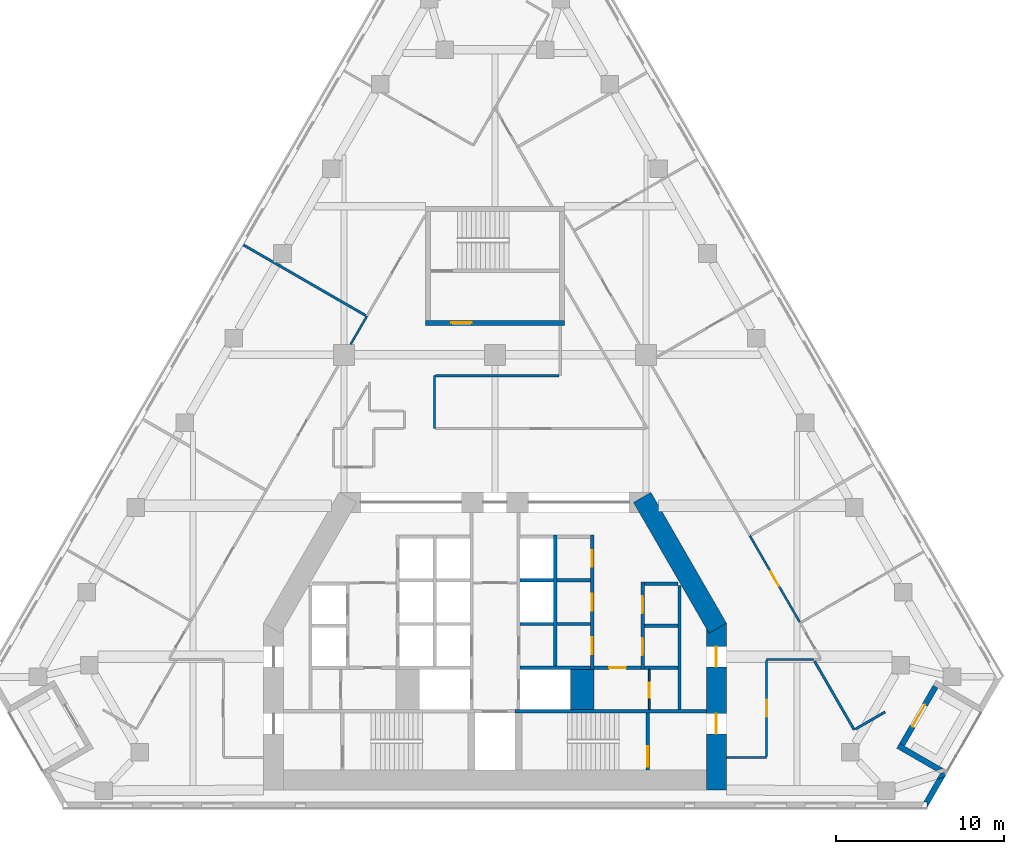
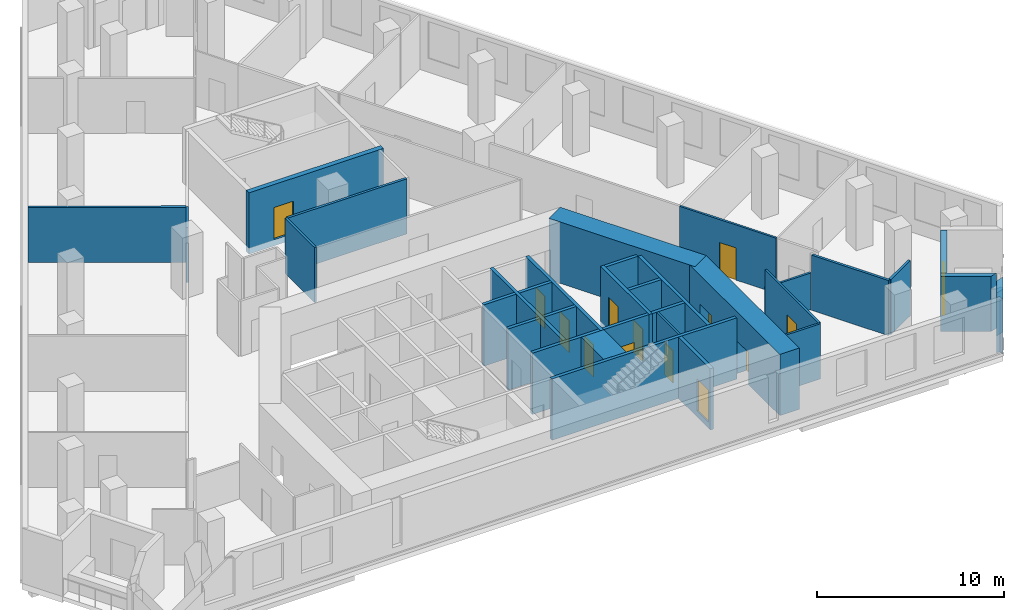
# One storey, part 6 of 10: 34 walls, 14 doors, 14 openings.
"""IFC4 building model written with IfcOpenShell, lengths in metres."""

from ifc_helpers import new_model, si_unit, direction, frame, frame_2d, origin, place, context, subcontext, project, spatial, polyline, rectangle, outline, extrude, material, layer, layer_set, type_object, element, fill, save


model = new_model("IFC4")

# Units and contexts
model_context = context("Model", 3, precision=1e-05, world=origin(), true_north=direction((0.0, 1.0)))
body_context = subcontext(model_context, "Body", "Model", "MODEL_VIEW")
ifc_project = project(units=[si_unit("LENGTHUNIT", "METRE"), si_unit("AREAUNIT", "SQUARE_METRE"), si_unit("VOLUMEUNIT", "CUBIC_METRE"), si_unit("PLANEANGLEUNIT", "RADIAN"), si_unit("MASSUNIT", "GRAM", prefix="KILO")], contexts=[model_context])

# Site, building, storey
site_placement = place(None, origin())
site = spatial("IfcSite", under=ifc_project, at=site_placement, CompositionType="ELEMENT")
building_placement = place(site_placement, origin())
building = spatial("IfcBuilding", under=site, at=building_placement, Name="Fogline Exchange Tower", CompositionType="ELEMENT")
storey_placement = place(building_placement, frame((0.0, 0.0, 116.10009765625)))
storey = spatial("IfcBuildingStorey", under=building, at=storey_placement, Name="L25", CompositionType="ELEMENT", Elevation=116.10009765625)

# Wall, opening, door
ifc_material_1 = material(Name="Blockwork partition", Category="masonry")
ifc_layer_1 = layer(ifc_material_1, 0.10009765625)
ifc_layer_set_1 = layer_set([ifc_layer_1], Name="CW10")
wall_type_1 = type_object("IfcWallType", Name="CW10", PredefinedType="PARTITIONING", material=ifc_layer_set_1)
wall_1_placement = place(storey_placement, frame((9.199951171875, 5.85009765625, 0.0), z_axis=(0.0, 0.0, 1.0), x_axis=(0.0, 1.0, 0.0)))
wall_1 = element("IfcWall", 1, at=wall_1_placement, inside=storey, type_object=wall_type_1, Name="WC partition", PredefinedType="PARTITIONING", context=body_context, shape_type="SweptSolid", body=[
    extrude(rectangle(XDim=2.39990234375, YDim=0.10009765625, at=frame_2d((1.199951171875, 0.0))), origin(), (0.0, 0.0, 1.0), 3.599853515625),
])
opening_1_placement = place(wall_1_placement, frame((0.699951171875, 0.0, 0.0)))
opening_1 = element("IfcOpeningElement", 2, at=opening_1_placement, cuts=wall_1, Name="Opening T07-C014", PredefinedType="OPENING", context=body_context, shape_type="SweptSolid", body=[
    extrude(rectangle(XDim=0.89990234375, YDim=2.10009765625, at=frame_2d((0.449951171875, 1.050048828125))), frame((0.0, 0.06005859375, 0.0), z_axis=(0.0, -1.0, 0.0), x_axis=(1.0, 0.0, 0.0)), (0.0, 0.0, 1.0), 0.1201171875),
])
ifc_material_2 = material(Name="Steel and timber fire door", Category="steel")
door_type_1 = type_object("IfcDoorType", Name="D-CS1", OperationType="SINGLE_SWING_RIGHT", PredefinedType="DOOR", material=ifc_material_2)
door_1_placement = place(opening_1_placement, frame((0.89990234375, 0.0, 0.0), z_axis=(0.0, 0.0, 1.0), x_axis=(-1.0, 0.0, 0.0)))
door_1 = element("IfcDoor", 3, at=door_1_placement, inside=storey, type_object=door_type_1, Name="Door to Cleaner's Store", OperationType="SINGLE_SWING_RIGHT", OverallHeight=2.10009765625, OverallWidth=0.89990234375, PredefinedType="DOOR", context=body_context, shape_type="SweptSolid", body=[
    extrude(rectangle(XDim=0.89990234375, YDim=2.10009765625, at=frame_2d((0.449951171875, 1.050048828125))), frame((0.0, 0.02490234375, 0.0), z_axis=(0.0, -1.0, 0.0), x_axis=(1.0, 0.0, 0.0)), (0.0, 0.0, 1.0), 0.050048828125),
])
fill(opening_1, door_1)

# Walls
ifc_material_3 = material(Name="Concrete C60", Category="concrete")
ifc_layer_2 = layer(ifc_material_3, 1.39990234375)
ifc_layer_set_2 = layer_set([ifc_layer_2], Name="CW140")
wall_type_2 = type_object("IfcWallType", Name="CW140", PredefinedType="SOLIDWALL", material=ifc_layer_set_2)
wall_2_placement = place(storey_placement, frame((5.199951171875, 5.85009765625, -0.400146484375), z_axis=(0.0, 0.0, 1.0), x_axis=(0.0, 1.0, 0.0)))
element("IfcWall", 4, at=wall_2_placement, inside=storey, type_object=wall_type_2, Name="Lift shaft block wall", PredefinedType="SOLIDWALL", context=body_context, shape_type="SweptSolid", body=[
    extrude(rectangle(XDim=2.39990234375, YDim=1.39990234375, at=frame_2d((1.199951171875, 0.0))), origin(), (0.0, 0.0, 1.0), 4.0),
])
ifc_material_4 = material(Name="Concrete C40", Category="concrete")
ifc_layer_3 = layer(ifc_material_4, 0.199951171875)
ifc_layer_set_3 = layer_set([ifc_layer_3], Name="CW20")
wall_type_3 = type_object("IfcWallType", Name="CW20", PredefinedType="SOLIDWALL", material=ifc_layer_set_3)
wall_3_placement = place(storey_placement, frame((11.0, 5.85009765625, 0.0), z_axis=(0.0, 0.0, 1.0), x_axis=(0.0, 1.0, 0.0)))
element("IfcWall", 5, at=wall_3_placement, inside=storey, type_object=wall_type_3, Name="Service room wall", PredefinedType="SOLIDWALL", context=body_context, shape_type="SweptSolid", body=[
    extrude(rectangle(XDim=7.39990234375, YDim=0.199951171875, at=frame_2d((3.699951171875, 0.0))), origin(), (0.0, 0.0, 1.0), 3.599853515625),
])

# Wall, opening, door
wall_4_placement = place(storey_placement, frame((5.89990234375, 8.35009765625, 0.0), z_axis=(0.0, 0.0, 1.0), x_axis=(1.0, 0.0, 0.0)))
wall_4 = element("IfcWall", 6, at=wall_4_placement, inside=storey, type_object=wall_type_3, Name="WC wall", PredefinedType="SOLIDWALL", context=body_context, shape_type="SweptSolid", body=[
    extrude(rectangle(XDim=2.800048828125, YDim=0.199951171875, at=frame_2d((1.39990234375, 0.0))), origin(), (0.0, 0.0, 1.0), 3.599853515625),
])
opening_2_placement = place(wall_4_placement, frame((0.89990234375, 0.0, 0.0)))
opening_2 = element("IfcOpeningElement", 7, at=opening_2_placement, cuts=wall_4, Name="Opening T07-C013", PredefinedType="OPENING", context=body_context, shape_type="SweptSolid", body=[
    extrude(rectangle(XDim=1.0, YDim=2.10009765625, at=frame_2d((0.5, 1.050048828125))), frame((0.0, 0.10986328125, 0.0), z_axis=(0.0, -1.0, 0.0), x_axis=(1.0, 0.0, 0.0)), (0.0, 0.0, 1.0), 0.219970703125),
])
door_type_2 = type_object("IfcDoorType", Name="D-WC1", OperationType="SINGLE_SWING_LEFT", PredefinedType="DOOR", material=ifc_material_2)
door_2_placement = place(opening_2_placement, frame((1.0, 0.0, 0.0), z_axis=(0.0, 0.0, 1.0), x_axis=(-1.0, 0.0, 0.0)))
door_2 = element("IfcDoor", 8, at=door_2_placement, inside=storey, type_object=door_type_2, Name="Door to Women's WC", OperationType="SINGLE_SWING_LEFT", OverallHeight=2.10009765625, OverallWidth=1.0, PredefinedType="DOOR", context=body_context, shape_type="SweptSolid", body=[
    extrude(rectangle(XDim=1.0, YDim=2.10009765625, at=frame_2d((0.5, 1.050048828125))), frame((0.0, 0.02490234375, 0.0), z_axis=(0.0, -1.0, 0.0), x_axis=(1.0, 0.0, 0.0)), (0.0, 0.0, 1.0), 0.050048828125),
])
fill(opening_2, door_2)

# Wall
ifc_layer_4 = layer(ifc_material_4, 0.199951171875)
ifc_layer_set_4 = layer_set([ifc_layer_4], Name="CW20R")
wall_type_4 = type_object("IfcWallType", Name="CW20R", PredefinedType="SOLIDWALL", material=ifc_layer_set_4)
wall_5_placement = place(storey_placement, frame((1.199951171875, 5.75, -0.400146484375), z_axis=(0.0, 0.0, 1.0), x_axis=(1.0, 0.0, 0.0)))
element("IfcWall", 9, at=wall_5_placement, inside=storey, type_object=wall_type_4, Name="Stair enclosure wall", PredefinedType="SOLIDWALL", context=body_context, shape_type="SweptSolid", body=[
    extrude(rectangle(XDim=11.400146484375, YDim=0.199951171875, at=frame_2d((5.7001953125, 0.0))), origin(), (0.0, 0.0, 1.0), 4.0),
])

# Wall, opening, door
wall_6_placement = place(storey_placement, frame((9.10009765625, 2.25, -0.400146484375), z_axis=(0.0, 0.0, 1.0), x_axis=(0.0, 1.0, 0.0)))
wall_6 = element("IfcWall", 10, at=wall_6_placement, inside=storey, type_object=wall_type_4, Name="Stair enclosure wall", PredefinedType="SOLIDWALL", context=body_context, shape_type="SweptSolid", body=[
    extrude(rectangle(XDim=3.39990234375, YDim=0.199951171875, at=frame_2d((1.699951171875, 0.0))), origin(), (0.0, 0.0, 1.0), 4.0),
])
opening_3_placement = place(wall_6_placement, frame((0.199951171875, 0.0, 0.39990234375)))
opening_3 = element("IfcOpeningElement", 11, at=opening_3_placement, cuts=wall_6, Name="Opening T07-C016", PredefinedType="OPENING", context=body_context, shape_type="SweptSolid", body=[
    extrude(rectangle(XDim=1.199951171875, YDim=2.10009765625, at=frame_2d((0.60009765625, 1.050048828125))), frame((0.0, 0.10986328125, 0.0), z_axis=(0.0, -1.0, 0.0), x_axis=(1.0, 0.0, 0.0)), (0.0, 0.0, 1.0), 0.219970703125),
])
door_type_3 = type_object("IfcDoorType", Name="D-ST1", OperationType="SINGLE_SWING_LEFT", PredefinedType="DOOR", material=ifc_material_2)
door_3_placement = place(opening_3_placement, origin())
door_3 = element("IfcDoor", 12, at=door_3_placement, inside=storey, type_object=door_type_3, Name="Stair door ST2", OperationType="SINGLE_SWING_LEFT", OverallHeight=2.10009765625, OverallWidth=1.199951171875, PredefinedType="DOOR", context=body_context, shape_type="SweptSolid", body=[
    extrude(rectangle(XDim=1.199951171875, YDim=2.10009765625, at=frame_2d((0.60009765625, 1.050048828125))), frame((0.0, 0.02490234375, 0.0), z_axis=(0.0, -1.0, 0.0), x_axis=(1.0, 0.0, 0.0)), (0.0, 0.0, 1.0), 0.050048828125),
])
fill(opening_3, door_3)

# Wall, openings, doors
ifc_layer_5 = layer(ifc_material_4, 0.199951171875)
ifc_layer_set_5 = layer_set([ifc_layer_5], Name="CW20S")
wall_type_5 = type_object("IfcWallType", Name="CW20S", PredefinedType="SOLIDWALL", material=ifc_layer_set_5)
wall_7_placement = place(storey_placement, frame((8.800048828125, 8.25, -0.400146484375), z_axis=(0.0, 0.0, 1.0), x_axis=(0.0, 1.0, 0.0)))
wall_7 = element("IfcWall", 13, at=wall_7_placement, inside=storey, type_object=wall_type_5, Name="Lift shaft wall", PredefinedType="SOLIDWALL", context=body_context, shape_type="SweptSolid", body=[
    extrude(rectangle(XDim=5.199951171875, YDim=0.199951171875, at=frame_2d((2.60009765625, 0.0))), origin(), (0.0, 0.0, 1.0), 4.0),
])
opening_4_placement = place(wall_7_placement, frame((0.85009765625, 0.0, 0.39990234375)))
opening_4 = element("IfcOpeningElement", 14, at=opening_4_placement, cuts=wall_7, Name="Opening T07-C001", PredefinedType="OPENING", context=body_context, shape_type="SweptSolid", body=[
    extrude(rectangle(XDim=1.0, YDim=2.10009765625, at=frame_2d((0.5, 1.050048828125))), frame((0.0, 0.10986328125, 0.0), z_axis=(0.0, -1.0, 0.0), x_axis=(1.0, 0.0, 0.0)), (0.0, 0.0, 1.0), 0.219970703125),
])
opening_5_placement = place(wall_7_placement, frame((3.35009765625, 0.0, 0.39990234375)))
opening_5 = element("IfcOpeningElement", 15, at=opening_5_placement, cuts=wall_7, Name="Opening T07-C002", PredefinedType="OPENING", context=body_context, shape_type="SweptSolid", body=[
    extrude(rectangle(XDim=1.0, YDim=2.10009765625, at=frame_2d((0.5, 1.050048828125))), frame((0.0, 0.10986328125, 0.0), z_axis=(0.0, -1.0, 0.0), x_axis=(1.0, 0.0, 0.0)), (0.0, 0.0, 1.0), 0.219970703125),
])
door_type_4 = type_object("IfcDoorType", Name="D-RM1", OperationType="SINGLE_SWING_LEFT", PredefinedType="DOOR", material=ifc_material_2)
door_4_placement = place(opening_4_placement, frame((1.0, 0.0, 0.0), z_axis=(0.0, 0.0, 1.0), x_axis=(-1.0, 0.0, 0.0)))
door_4 = element("IfcDoor", 16, at=door_4_placement, inside=storey, type_object=door_type_4, Name="Door to Stationery Store", OperationType="SINGLE_SWING_LEFT", OverallHeight=2.10009765625, OverallWidth=1.0, PredefinedType="DOOR", context=body_context, shape_type="SweptSolid", body=[
    extrude(rectangle(XDim=1.0, YDim=2.10009765625, at=frame_2d((0.5, 1.050048828125))), frame((0.0, 0.02490234375, 0.0), z_axis=(0.0, -1.0, 0.0), x_axis=(1.0, 0.0, 0.0)), (0.0, 0.0, 1.0), 0.050048828125),
])
fill(opening_4, door_4)
door_5_placement = place(opening_5_placement, frame((1.0, 0.0, 0.0), z_axis=(0.0, 0.0, 1.0), x_axis=(-1.0, 0.0, 0.0)))
door_5 = element("IfcDoor", 17, at=door_5_placement, inside=storey, type_object=door_type_4, Name="Door to Records Store", OperationType="SINGLE_SWING_LEFT", OverallHeight=2.10009765625, OverallWidth=1.0, PredefinedType="DOOR", context=body_context, shape_type="SweptSolid", body=[
    extrude(rectangle(XDim=1.0, YDim=2.10009765625, at=frame_2d((0.5, 1.050048828125))), frame((0.0, 0.02490234375, 0.0), z_axis=(0.0, -1.0, 0.0), x_axis=(1.0, 0.0, 0.0)), (0.0, 0.0, 1.0), 0.050048828125),
])
fill(opening_5, door_5)

wall_8_placement = place(storey_placement, frame((5.800048828125, 8.25, -0.400146484375), z_axis=(0.0, 0.0, 1.0), x_axis=(0.0, 1.0, 0.0)))
wall_8 = element("IfcWall", 18, at=wall_8_placement, inside=storey, type_object=wall_type_5, Name="Lift shaft wall", PredefinedType="SOLIDWALL", context=body_context, shape_type="SweptSolid", body=[
    extrude(rectangle(XDim=8.0, YDim=0.199951171875, at=frame_2d((4.0, 0.0))), origin(), (0.0, 0.0, 1.0), 4.0),
])
opening_6_placement = place(wall_8_placement, frame((0.89990234375, 0.0, 0.39990234375)))
opening_6 = element("IfcOpeningElement", 19, at=opening_6_placement, cuts=wall_8, Name="Opening T07-C003", PredefinedType="OPENING", context=body_context, shape_type="SweptSolid", body=[
    extrude(rectangle(XDim=1.0, YDim=2.10009765625, at=frame_2d((0.5, 1.050048828125))), frame((0.0, 0.10986328125, 0.0), z_axis=(0.0, -1.0, 0.0), x_axis=(1.0, 0.0, 0.0)), (0.0, 0.0, 1.0), 0.219970703125),
])
opening_7_placement = place(wall_8_placement, frame((3.5, 0.0, 0.39990234375)))
opening_7 = element("IfcOpeningElement", 20, at=opening_7_placement, cuts=wall_8, Name="Opening T07-C004", PredefinedType="OPENING", context=body_context, shape_type="SweptSolid", body=[
    extrude(rectangle(XDim=1.0, YDim=2.10009765625, at=frame_2d((0.5, 1.050048828125))), frame((0.0, 0.10986328125, 0.0), z_axis=(0.0, -1.0, 0.0), x_axis=(1.0, 0.0, 0.0)), (0.0, 0.0, 1.0), 0.219970703125),
])
opening_8_placement = place(wall_8_placement, frame((6.10009765625, 0.0, 0.39990234375)))
opening_8 = element("IfcOpeningElement", 21, at=opening_8_placement, cuts=wall_8, Name="Opening T07-C005", PredefinedType="OPENING", context=body_context, shape_type="SweptSolid", body=[
    extrude(rectangle(XDim=1.0, YDim=2.10009765625, at=frame_2d((0.5, 1.050048828125))), frame((0.0, 0.10986328125, 0.0), z_axis=(0.0, -1.0, 0.0), x_axis=(1.0, 0.0, 0.0)), (0.0, 0.0, 1.0), 0.219970703125),
])
door_6_placement = place(opening_6_placement, origin())
door_6 = element("IfcDoor", 22, at=door_6_placement, inside=storey, type_object=door_type_4, Name="Door to Riser Room", OperationType="SINGLE_SWING_RIGHT", OverallHeight=2.10009765625, OverallWidth=1.0, PredefinedType="DOOR", context=body_context, shape_type="SweptSolid", body=[
    extrude(rectangle(XDim=1.0, YDim=2.10009765625, at=frame_2d((0.5, 1.050048828125))), frame((0.0, 0.02490234375, 0.0), z_axis=(0.0, -1.0, 0.0), x_axis=(1.0, 0.0, 0.0)), (0.0, 0.0, 1.0), 0.050048828125),
])
fill(opening_6, door_6)
door_7_placement = place(opening_7_placement, origin())
door_7 = element("IfcDoor", 23, at=door_7_placement, inside=storey, type_object=door_type_4, Name="Door to Plant Room", OperationType="SINGLE_SWING_LEFT", OverallHeight=2.10009765625, OverallWidth=1.0, PredefinedType="DOOR", context=body_context, shape_type="SweptSolid", body=[
    extrude(rectangle(XDim=1.0, YDim=2.10009765625, at=frame_2d((0.5, 1.050048828125))), frame((0.0, 0.02490234375, 0.0), z_axis=(0.0, -1.0, 0.0), x_axis=(1.0, 0.0, 0.0)), (0.0, 0.0, 1.0), 0.050048828125),
])
fill(opening_7, door_7)
door_8_placement = place(opening_8_placement, origin())
door_8 = element("IfcDoor", 24, at=door_8_placement, inside=storey, type_object=door_type_4, Name="Door to Cable Store", OperationType="SINGLE_SWING_LEFT", OverallHeight=2.10009765625, OverallWidth=1.0, PredefinedType="DOOR", context=body_context, shape_type="SweptSolid", body=[
    extrude(rectangle(XDim=1.0, YDim=2.10009765625, at=frame_2d((0.5, 1.050048828125))), frame((0.0, 0.02490234375, 0.0), z_axis=(0.0, -1.0, 0.0), x_axis=(1.0, 0.0, 0.0)), (0.0, 0.0, 1.0), 0.050048828125),
])
fill(opening_8, door_8)

# Walls
wall_9_placement = place(storey_placement, frame((3.60009765625, 8.449951171875, -0.400146484375), z_axis=(0.0, 0.0, 1.0), x_axis=(0.0, 1.0, 0.0)))
element("IfcWall", 25, at=wall_9_placement, inside=storey, type_object=wall_type_5, Name="Lift shaft wall", PredefinedType="SOLIDWALL", context=body_context, shape_type="SweptSolid", body=[
    extrude(rectangle(XDim=7.800048828125, YDim=0.199951171875, at=frame_2d((3.89990234375, 0.0))), origin(), (0.0, 0.0, 1.0), 4.0),
])
wall_10_placement = place(storey_placement, frame((8.89990234375, 8.35009765625, -0.400146484375), z_axis=(0.0, 0.0, 1.0), x_axis=(1.0, 0.0, 0.0)))
element("IfcWall", 26, at=wall_10_placement, inside=storey, type_object=wall_type_5, Name="Lift shaft wall", PredefinedType="SOLIDWALL", context=body_context, shape_type="SweptSolid", body=[
    extrude(rectangle(XDim=2.0, YDim=0.199951171875, at=frame_2d((1.0, 0.0))), origin(), (0.0, 0.0, 1.0), 4.0),
])
wall_11_placement = place(storey_placement, frame((1.5, 8.35009765625, -0.400146484375), z_axis=(0.0, 0.0, 1.0), x_axis=(1.0, 0.0, 0.0)))
element("IfcWall", 27, at=wall_11_placement, inside=storey, type_object=wall_type_5, Name="Lift shaft wall", PredefinedType="SOLIDWALL", context=body_context, shape_type="SweptSolid", body=[
    extrude(rectangle(XDim=4.199951171875, YDim=0.199951171875, at=frame_2d((2.10009765625, 0.0))), origin(), (0.0, 0.0, 1.0), 4.0),
])
for number, where, z_axis, x_axis, name in (
    (28, (8.89990234375, 10.85009765625, -0.400146484375), (0.0, 0.0, 1.0), (1.0, 0.0, 0.0), "Lift shaft wall"),
    (29, (8.89990234375, 13.35009765625, -0.400146484375), (0.0, 0.0, 1.0), (1.0, 0.0, 0.0), "Lift shaft wall"),
    (30, (3.699951171875, 10.949951171875, -0.400146484375), (0.0, 0.0, 1.0), (1.0, 0.0, 0.0), "Lift shaft wall"),
    (31, (3.699951171875, 13.550048828125, -0.400146484375), (0.0, 0.0, 1.0), (1.0, 0.0, 0.0), "Lift shaft wall"),
    (32, (1.5, 10.949951171875, -0.400146484375), (0.0, 0.0, 1.0), (1.0, 0.0, 0.0), "Lift shaft wall"),
    (33, (1.5, 13.550048828125, -0.400146484375), (0.0, 0.0, 1.0), (1.0, 0.0, 0.0), "Lift shaft wall"),
):
    element("IfcWall", number, at=place(storey_placement, frame(where, z_axis=z_axis, x_axis=x_axis)), inside=storey, type_object=wall_type_5, Name=name, PredefinedType="SOLIDWALL", context=body_context, shape_type="SweptSolid", body=[
        extrude(rectangle(XDim=2.0, YDim=0.199951171875, at=frame_2d((1.0, 0.0))), origin(), (0.0, 0.0, 1.0), 4.0),
    ])

# Wall, opening, door
ifc_layer_6 = layer(ifc_material_4, 0.300048828125)
ifc_layer_set_6 = layer_set([ifc_layer_6], Name="CW30")
wall_type_6 = type_object("IfcWallType", Name="CW30", PredefinedType="SOLIDWALL", material=ifc_layer_set_6)
wall_12_placement = place(storey_placement, frame((-4.14990234375, 28.906982421875, -0.400146484375), z_axis=(0.0, 0.0, 1.0), x_axis=(1.0, 0.0, 0.0)))
wall_12 = element("IfcWall", 34, at=wall_12_placement, inside=storey, type_object=wall_type_6, Name="Stair enclosure wall ST3", PredefinedType="SOLIDWALL", context=body_context, shape_type="SweptSolid", body=[
    extrude(rectangle(XDim=8.2998046875, YDim=0.300048828125, at=frame_2d((4.14990234375, 0.0))), origin(), (0.0, 0.0, 1.0), 4.0),
])
opening_9_placement = place(wall_12_placement, frame((1.550048828125, 0.0, 0.39990234375)))
opening_9 = element("IfcOpeningElement", 35, at=opening_9_placement, cuts=wall_12, Name="Opening T07-C022", PredefinedType="OPENING", context=body_context, shape_type="SweptSolid", body=[
    extrude(rectangle(XDim=1.199951171875, YDim=2.10009765625, at=frame_2d((0.60009765625, 1.050048828125))), frame((0.0, 0.16015625, 0.0), z_axis=(0.0, -1.0, 0.0), x_axis=(1.0, 0.0, 0.0)), (0.0, 0.0, 1.0), 0.320068359375),
])
door_type_5 = type_object("IfcDoorType", Name="D-FR1", OperationType="SINGLE_SWING_RIGHT", PredefinedType="DOOR", material=ifc_material_2)
door_9_placement = place(opening_9_placement, origin())
door_9 = element("IfcDoor", 36, at=door_9_placement, inside=storey, type_object=door_type_5, Name="Front room door ST3", OperationType="SINGLE_SWING_LEFT", OverallHeight=2.10009765625, OverallWidth=1.199951171875, PredefinedType="DOOR", context=body_context, shape_type="SweptSolid", body=[
    extrude(rectangle(XDim=1.199951171875, YDim=2.10009765625, at=frame_2d((0.60009765625, 1.050048828125))), frame((0.0, 0.02490234375, 0.0), z_axis=(0.0, -1.0, 0.0), x_axis=(1.0, 0.0, 0.0)), (0.0, 0.0, 1.0), 0.050048828125),
])
fill(opening_9, door_9)

# Walls
ifc_material_5 = material(Name="Brick masonry", Category="masonry")
ifc_layer_7 = layer(ifc_material_5, 0.340087890625)
ifc_layer_set_7 = layer_set([ifc_layer_7], Name="FW1")
wall_type_7 = type_object("IfcWallType", Name="FW1", PredefinedType="SOLIDWALL", material=ifc_layer_set_7)
wall_13_placement = place(storey_placement, origin())
element("IfcWall", 37, at=wall_13_placement, inside=storey, type_object=wall_type_7, Name="Brick wall L25 SE-c1", PredefinedType="SOLIDWALL", context=body_context, shape_type="SweptSolid", body=[
    extrude(outline(polyline([(26.83203125, 1.845703125), (26.35009765625, 1.693359375), (26.55078125, 2.041015625), (26.81298828125, 2.111328125), (26.8740234375, 1.91845703125), (26.83203125, 1.845703125)])), origin(), (0.0, 0.0, 1.0), 2.7998046875),
])
wall_14_placement = place(storey_placement, origin())
element("IfcWall", 38, at=wall_14_placement, inside=storey, type_object=wall_type_7, Name="Brick wall L25 SE-c1", PredefinedType="SOLIDWALL", context=body_context, shape_type="SweptSolid", body=[
    extrude(outline(polyline([(25.765625, -0.001220703125), (25.76513671875, -0.0009765625), (25.76513671875, 0.33935546875), (25.568359375, 0.33935546875), (26.35009765625, 1.693359375), (26.83203125, 1.845703125), (25.765625, -0.001220703125)])), origin(), (0.0, 0.0, 1.0), 3.599853515625),
])
wall_15_placement = place(storey_placement, origin())
element("IfcWall", 39, at=wall_15_placement, inside=storey, type_object=wall_type_7, Name="Brick wall L25 SE-s1", PredefinedType="SOLIDWALL", context=body_context, shape_type="SweptSolid", body=[
    extrude(outline(polyline([(24.122802734375, 3.8359375), (24.41796875, 3.66552734375), (26.721923828125, 2.33544921875), (26.281005859375, 2.196044921875), (23.952392578125, 3.540283203125), (24.122802734375, 3.8359375)])), origin(), (0.0, 0.0, 1.0), 3.599853515625),
])

# Wall, opening, door
wall_16_placement = place(storey_placement, frame((24.270263671875, 3.75, 0.0), z_axis=(0.0, 0.0, 1.0), x_axis=(0.49999894854, 0.866026010844, 0.0)))
wall_16 = element("IfcWall", 40, at=wall_16_placement, inside=storey, type_object=wall_type_7, Name="Brick wall L25 SE-bk", PredefinedType="SOLIDWALL", context=body_context, shape_type="SweptSolid", body=[
    extrude(rectangle(XDim=4.0, YDim=0.340087890625, at=frame_2d((2.0, 0.0))), origin(), (0.0, 0.0, 1.0), 3.599853515625),
])
opening_10_placement = place(wall_16_placement, frame((1.25, 0.0, 0.0)))
opening_10 = element("IfcOpeningElement", 41, at=opening_10_placement, cuts=wall_16, Name="Opening T07-E081", PredefinedType="OPENING", context=body_context, shape_type="SweptSolid", body=[
    extrude(rectangle(XDim=1.5, YDim=2.39990234375, at=frame_2d((0.75, 1.199951171875))), frame((0.0, 0.18017578125, 0.0), z_axis=(0.0, -1.0, 0.0), x_axis=(1.0, 0.0, 0.0)), (0.0, 0.0, 1.0), 0.360107421875),
])
ifc_material_6 = material(Name="Aluminium and glass", Category="aluminium")
door_type_6 = type_object("IfcDoorType", Name="ED4", OperationType="SINGLE_SWING_LEFT", PredefinedType="DOOR", material=ifc_material_6)
door_10_placement = place(opening_10_placement, frame((1.5, 0.0, 0.0), z_axis=(0.0, 0.0, 1.0), x_axis=(-1.0, 0.0, 0.0)))
door_10 = element("IfcDoor", 42, at=door_10_placement, inside=storey, type_object=door_type_6, Name="Balcony door L25 SE", OperationType="DOUBLE_DOOR_SINGLE_SWING", OverallHeight=2.39990234375, OverallWidth=1.5, PredefinedType="DOOR", context=body_context, shape_type="SweptSolid", body=[
    extrude(rectangle(XDim=1.5, YDim=2.39990234375, at=frame_2d((0.75, 1.199951171875))), frame((0.0, 0.02490234375, 0.0), z_axis=(0.0, -1.0, 0.0), x_axis=(1.0, 0.0, 0.0)), (0.0, 0.0, 1.0), 0.050048828125),
])
fill(opening_10, door_10)

ifc_material_7 = material(Name="Plasterboard corridor partition with mineral wool, 2 layers each side")
ifc_layer_8 = layer(ifc_material_7, 0.125)
ifc_layer_set_8 = layer_set([ifc_layer_8], Name="PW2")
wall_type_8 = type_object("IfcWallType", Name="PW2", PredefinedType="PARTITIONING", material=ifc_layer_set_8)
wall_17_placement = place(storey_placement, frame((16.199951171875, 8.777587890625, 0.0), z_axis=(0.0, 0.0, 1.0), x_axis=(0.0, -1.0, 0.0)))
wall_17 = element("IfcWall", 43, at=wall_17_placement, inside=storey, type_object=wall_type_8, Name="wall-L25-W001", PredefinedType="PARTITIONING", context=body_context, shape_type="SweptSolid", body=[
    extrude(rectangle(XDim=5.715087890625, YDim=0.125, at=frame_2d((2.857421875, 0.0))), origin(), (0.0, 0.0, 1.0), 3.599853515625),
])
opening_11_placement = place(wall_17_placement, frame((2.357421875, 0.0, 0.0)))
opening_11 = element("IfcOpeningElement", 44, at=opening_11_placement, cuts=wall_17, Name="Opening T07-D001", PredefinedType="OPENING", context=body_context, shape_type="SweptSolid", body=[
    extrude(rectangle(XDim=1.0, YDim=2.10009765625, at=frame_2d((0.5, 1.050048828125))), frame((0.0, 0.072509765625, 0.0), z_axis=(0.0, -1.0, 0.0), x_axis=(1.0, 0.0, 0.0)), (0.0, 0.0, 1.0), 0.14501953125),
])
ifc_material_8 = material(Name="Fire-rated timber door leaf with steel frame", Category="steel")
door_type_7 = type_object("IfcDoorType", Name="D3", OperationType="SINGLE_SWING_LEFT", PredefinedType="DOOR", material=ifc_material_8)
door_11_placement = place(opening_11_placement, origin())
door_11 = element("IfcDoor", 45, at=door_11_placement, inside=storey, type_object=door_type_7, Name="door-L25-D001", OperationType="SINGLE_SWING_LEFT", OverallHeight=2.10009765625, OverallWidth=1.0, PredefinedType="DOOR", context=body_context, shape_type="SweptSolid", body=[
    extrude(rectangle(XDim=1.0, YDim=2.10009765625, at=frame_2d((0.5, 1.050048828125))), frame((0.0, 0.02490234375, 0.0), z_axis=(0.0, -1.0, 0.0), x_axis=(1.0, 0.0, 0.0)), (0.0, 0.0, 1.0), 0.050048828125),
])
fill(opening_11, door_11)

# Walls
wall_18_placement = place(storey_placement, frame((16.199951171875, 3.0, 0.0), z_axis=(0.0, 0.0, 1.0), x_axis=(-1.0, 0.0, 0.0)))
element("IfcWall", 46, at=wall_18_placement, inside=storey, type_object=wall_type_8, Name="wall-L25-W002", PredefinedType="PARTITIONING", context=body_context, shape_type="SweptSolid", body=[
    extrude(rectangle(XDim=2.39990234375, YDim=0.125, at=frame_2d((1.199951171875, 0.0))), origin(), (0.0, 0.0, 1.0), 3.599853515625),
])
wall_19_placement = place(storey_placement, frame((-8.60888671875, 27.625, 0.0), z_axis=(0.0, 0.0, 1.0), x_axis=(0.500027802648, 0.866009351323, 0.0)))
element("IfcWall", 47, at=wall_19_placement, inside=storey, type_object=wall_type_8, Name="wall-L25-W012", PredefinedType="PARTITIONING", context=body_context, shape_type="SweptSolid", body=[
    extrude(rectangle(XDim=1.93798828125, YDim=0.125, at=frame_2d((0.968994140625, 0.0))), origin(), (0.0, 0.0, 1.0), 3.599853515625),
])
wall_20_placement = place(storey_placement, frame((18.992431640625, 8.840087890625, 0.0), z_axis=(0.0, 0.0, 1.0), x_axis=(-1.0, 0.0, 0.0)))
element("IfcWall", 48, at=wall_20_placement, inside=storey, type_object=wall_type_8, Name="wall-L25-W025", PredefinedType="PARTITIONING", context=body_context, shape_type="SweptSolid", body=[
    extrude(rectangle(XDim=2.79248046875, YDim=0.125, at=frame_2d((1.396240234375, 0.0))), origin(), (0.0, 0.0, 1.0), 2.39990234375),
])

# Wall, opening, door
wall_21_placement = place(storey_placement, frame((15.197265625, 16.21337890625, 0.0), z_axis=(0.0, 0.0, 1.0), x_axis=(0.500000694566, -0.866025002776, 0.0)))
wall_21 = element("IfcWall", 49, at=wall_21_placement, inside=storey, type_object=wall_type_8, Name="wall-L25-W028", PredefinedType="PARTITIONING", context=body_context, shape_type="SweptSolid", body=[
    extrude(rectangle(XDim=5.94970703125, YDim=0.125, at=frame_2d((2.974853515625, 0.0))), origin(), (0.0, 0.0, 1.0), 3.599853515625),
])
opening_12_placement = place(wall_21_placement, frame((2.474609375, 0.0, 0.0)))
opening_12 = element("IfcOpeningElement", 50, at=opening_12_placement, cuts=wall_21, Name="Opening T07-D012", PredefinedType="OPENING", context=body_context, shape_type="SweptSolid", body=[
    extrude(rectangle(XDim=1.0, YDim=2.10009765625, at=frame_2d((0.5, 1.050048828125))), frame((0.0, 0.072509765625, 0.0), z_axis=(0.0, -1.0, 0.0), x_axis=(1.0, 0.0, 0.0)), (0.0, 0.0, 1.0), 0.14501953125),
])
door_12_placement = place(opening_12_placement, origin())
door_12 = element("IfcDoor", 51, at=door_12_placement, inside=storey, type_object=door_type_7, Name="door-L25-D012", OperationType="SINGLE_SWING_LEFT", OverallHeight=2.10009765625, OverallWidth=1.0, PredefinedType="DOOR", context=body_context, shape_type="SweptSolid", body=[
    extrude(rectangle(XDim=1.0, YDim=2.10009765625, at=frame_2d((0.5, 1.050048828125))), frame((0.0, 0.02490234375, 0.0), z_axis=(0.0, -1.0, 0.0), x_axis=(1.0, 0.0, 0.0)), (0.0, 0.0, 1.0), 0.050048828125),
])
fill(opening_12, door_12)

# Walls
wall_22_placement = place(storey_placement, frame((-3.60009765625, 25.757080078125, 0.0), z_axis=(0.0, 0.0, 1.0), x_axis=(0.0, -1.0, 0.0)))
element("IfcWall", 52, at=wall_22_placement, inside=storey, type_object=wall_type_8, Name="wall-L25-W031", PredefinedType="PARTITIONING", context=body_context, shape_type="SweptSolid", body=[
    extrude(rectangle(XDim=3.156982421875, YDim=0.125, at=frame_2d((1.57861328125, 0.0))), origin(), (0.0, 0.0, 1.0), 3.599853515625),
])
ifc_material_9 = material(Name="Plasterboard demising partition with mineral wool and acoustic board")
ifc_layer_9 = layer(ifc_material_9, 0.14990234375)
ifc_layer_set_9 = layer_set([ifc_layer_9], Name="PW3")
wall_type_9 = type_object("IfcWallType", Name="PW3", PredefinedType="PARTITIONING", material=ifc_layer_set_9)
wall_23_placement = place(storey_placement, frame((-7.69384765625, 29.334716796875, 0.0), z_axis=(0.0, 0.0, 1.0), x_axis=(-0.866039105107, 0.499976267863, 0.0)))
element("IfcWall", 53, at=wall_23_placement, inside=storey, type_object=wall_type_9, Name="wall-L25-W046", PredefinedType="PARTITIONING", context=body_context, shape_type="SweptSolid", body=[
    extrude(rectangle(XDim=8.4375, YDim=0.14990234375, at=frame_2d((4.21875, 0.0))), origin(), (0.0, 0.0, 1.0), 3.599853515625),
])
wall_24_placement = place(storey_placement, frame((19.05029296875, 8.739501953125, 0.0), z_axis=(0.0, 0.0, 1.0), x_axis=(0.500031897912, -0.866006986733, 0.0)))
element("IfcWall", 54, at=wall_24_placement, inside=storey, type_object=wall_type_9, Name="wall-L25-W051", PredefinedType="PARTITIONING", context=body_context, shape_type="SweptSolid", body=[
    extrude(rectangle(XDim=4.735107421875, YDim=0.14990234375, at=frame_2d((2.36767578125, 0.0))), origin(), (0.0, 0.0, 1.0), 3.599853515625),
])
wall_25_placement = place(storey_placement, frame((21.48291015625, 4.676513671875, 0.0), z_axis=(0.0, 0.0, 1.0), x_axis=(0.866022127522, 0.500005674609, 0.0)))
element("IfcWall", 55, at=wall_25_placement, inside=storey, type_object=wall_type_9, Name="wall-L25-W052", PredefinedType="PARTITIONING", context=body_context, shape_type="SweptSolid", body=[
    extrude(rectangle(XDim=2.064453125, YDim=0.14990234375, at=frame_2d((1.0322265625, 0.0))), origin(), (0.0, 0.0, 1.0), 3.599853515625),
])
ifc_material_10 = material(Name="Plasterboard stair lobby partition, 3 layers each side on steel studs", Category="steel")
ifc_layer_10 = layer(ifc_material_10, 0.14990234375)
ifc_layer_set_10 = layer_set([ifc_layer_10], Name="PW4")
wall_type_10 = type_object("IfcWallType", Name="PW4", PredefinedType="PARTITIONING", material=ifc_layer_set_10)
wall_26_placement = place(storey_placement, frame((3.824951171875, 25.757080078125, 0.0), z_axis=(0.0, 0.0, 1.0), x_axis=(-1.0, 0.0, 0.0)))
element("IfcWall", 56, at=wall_26_placement, inside=storey, type_object=wall_type_10, Name="wall-L25-W020", PredefinedType="PARTITIONING", context=body_context, shape_type="SweptSolid", body=[
    extrude(rectangle(XDim=7.362548828125, YDim=0.14990234375, at=frame_2d((3.68115234375, 0.0))), origin(), (0.0, 0.0, 1.0), 3.599853515625),
])

# Wall, openings, doors
ifc_layer_11 = layer(ifc_material_3, 1.199951171875)
ifc_layer_set_11 = layer_set([ifc_layer_11], Name="SW02")
wall_type_11 = type_object("IfcWallType", Name="SW02", PredefinedType="SHEAR", material=ifc_layer_set_11)
wall_27_placement = place(storey_placement, frame((13.199951171875, 1.050048828125, 0.0), z_axis=(0.0, 0.0, 1.0), x_axis=(0.0, 1.0, 0.0)))
wall_27 = element("IfcWall", 57, at=wall_27_placement, inside=storey, type_object=wall_type_11, Name="L25-W902", PredefinedType="SHEAR", context=body_context, shape_type="SweptSolid", body=[
    extrude(rectangle(XDim=9.948974609375, YDim=1.199951171875, at=frame_2d((4.974609375, 0.0))), origin(), (0.0, 0.0, 1.0), 4.0),
])
opening_13_placement = place(wall_27_placement, frame((3.35009765625, 0.0, 0.0)))
opening_13 = element("IfcOpeningElement", 58, at=opening_13_placement, cuts=wall_27, Name="Opening T07-C015", PredefinedType="OPENING", context=body_context, shape_type="SweptSolid", body=[
    extrude(rectangle(XDim=1.199951171875, YDim=2.10009765625, at=frame_2d((0.60009765625, 1.050048828125))), frame((0.0, 0.60986328125, 0.0), z_axis=(0.0, -1.0, 0.0), x_axis=(1.0, 0.0, 0.0)), (0.0, 0.0, 1.0), 1.219970703125),
])
opening_14_placement = place(wall_27_placement, frame((7.35009765625, 0.0, 0.0)))
opening_14 = element("IfcOpeningElement", 59, at=opening_14_placement, cuts=wall_27, Name="Opening T07-C017", PredefinedType="OPENING", context=body_context, shape_type="SweptSolid", body=[
    extrude(rectangle(XDim=1.199951171875, YDim=2.10009765625, at=frame_2d((0.60009765625, 1.050048828125))), frame((0.0, 0.60986328125, 0.0), z_axis=(0.0, -1.0, 0.0), x_axis=(1.0, 0.0, 0.0)), (0.0, 0.0, 1.0), 1.219970703125),
])
door_13_placement = place(opening_13_placement, origin())
door_13 = element("IfcDoor", 60, at=door_13_placement, inside=storey, type_object=door_type_5, Name="Front room door ST2", OperationType="SINGLE_SWING_RIGHT", OverallHeight=2.10009765625, OverallWidth=1.199951171875, PredefinedType="DOOR", context=body_context, shape_type="SweptSolid", body=[
    extrude(rectangle(XDim=1.199951171875, YDim=2.10009765625, at=frame_2d((0.60009765625, 1.050048828125))), frame((0.0, 0.02490234375, 0.0), z_axis=(0.0, -1.0, 0.0), x_axis=(1.0, 0.0, 0.0)), (0.0, 0.0, 1.0), 0.050048828125),
])
fill(opening_13, door_13)
door_type_8 = type_object("IfcDoorType", Name="D-SV1", OperationType="SINGLE_SWING_LEFT", PredefinedType="DOOR", material=ifc_material_2)
door_14_placement = place(opening_14_placement, origin())
door_14 = element("IfcDoor", 61, at=door_14_placement, inside=storey, type_object=door_type_8, Name="Service door E", OperationType="SINGLE_SWING_RIGHT", OverallHeight=2.10009765625, OverallWidth=1.199951171875, PredefinedType="DOOR", context=body_context, shape_type="SweptSolid", body=[
    extrude(rectangle(XDim=1.199951171875, YDim=2.10009765625, at=frame_2d((0.60009765625, 1.050048828125))), frame((0.0, 0.02490234375, 0.0), z_axis=(0.0, -1.0, 0.0), x_axis=(1.0, 0.0, 0.0)), (0.0, 0.0, 1.0), 0.050048828125),
])
fill(opening_14, door_14)

# Wall
wall_28_placement = place(storey_placement, frame((13.280517578125, 10.698974609375, 0.0), z_axis=(0.0, 0.0, 1.0), x_axis=(-0.499998513025, 0.866026262288, 0.0)))
element("IfcWall", 62, at=wall_28_placement, inside=storey, type_object=wall_type_11, Name="L25-W903", PredefinedType="SHEAR", context=body_context, shape_type="SweptSolid", body=[
    extrude(rectangle(XDim=9.0078125, YDim=1.199951171875, at=frame_2d((4.50390625, 0.0))), origin(), (0.0, 0.0, 1.0), 4.0),
])

save(model, "model.ifc")
